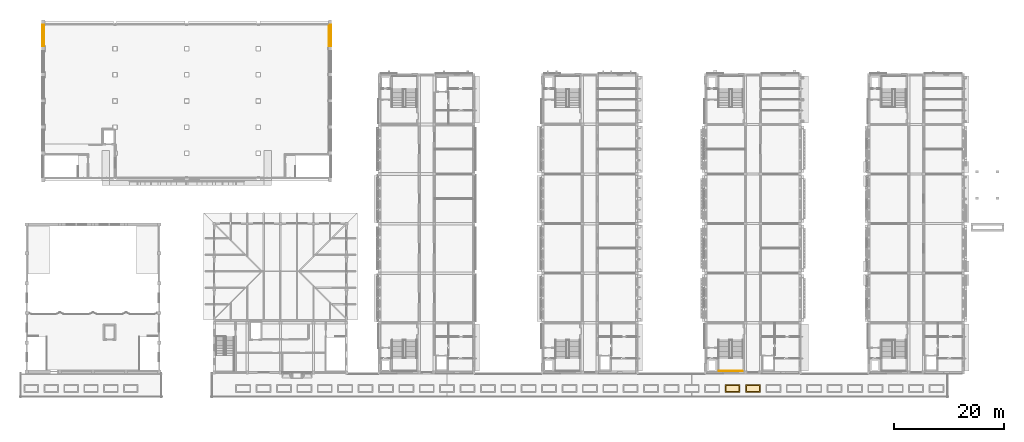
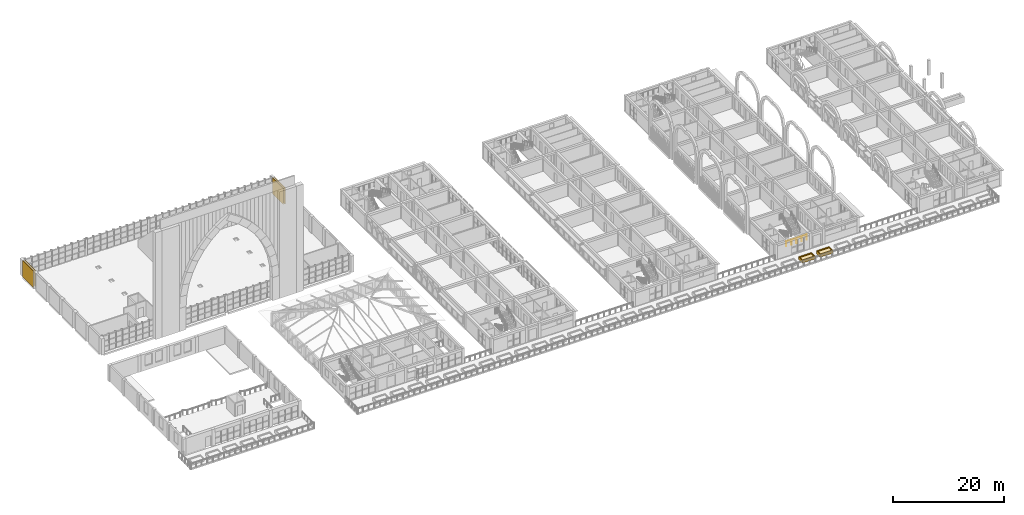
# One storey, part 78 of 82: 8 coverings, 1 railing.
"""IFC4 building model written with IfcOpenShell, lengths in metres."""

from ifc_helpers import new_model, si_unit, direction, frame, origin, origin_2d, place, context, subcontext, project, spatial, polyline, rectangle, circle, outline, extrude, material, layer, layer_set, type_object, element, save


model = new_model("IFC4")

# Units and contexts
model_context = context("Model", 3, precision=1e-05, world=origin(), true_north=direction((0.0, 1.0)))
body_context = subcontext(model_context, "Body", "Model", "MODEL_VIEW")
ifc_project = project(units=[si_unit("LENGTHUNIT", "METRE"), si_unit("AREAUNIT", "SQUARE_METRE"), si_unit("VOLUMEUNIT", "CUBIC_METRE"), si_unit("PLANEANGLEUNIT", "RADIAN"), si_unit("MASSUNIT", "GRAM", prefix="KILO")], contexts=[model_context])

# Site, building, storey
site_placement = place(None, origin())
site = spatial("IfcSite", under=ifc_project, at=site_placement, CompositionType="ELEMENT")
building_placement = place(site_placement, origin())
building = spatial("IfcBuilding", under=site, at=building_placement, Name="Elbe Cascade School", CompositionType="ELEMENT")
storey_placement = place(building_placement, frame((0.0, 0.0, 4.5)))
storey = spatial("IfcBuildingStorey", under=building, at=storey_placement, Name="L01", CompositionType="ELEMENT", Elevation=4.5)

# Railing
ifc_material_1 = material(Name="Steel S355J2H, painted", Category="steel")
railing_type = type_object("IfcRailingType", Name="Bar stair guard 1100", PredefinedType="GUARDRAIL", material=ifc_material_1)
railing_placement = place(storey_placement, frame((130.56005859375, 6.239990234375, 1.800048828125)))
element("IfcRailing", 1, at=railing_placement, inside=storey, type_object=railing_type, Name="Stair guard C1.S", PredefinedType="GUARDRAIL", context=body_context, shape_type="SweptSolid", body=[
    extrude(circle(Radius=0.02392578125, at=origin_2d()), frame((0.0, 0.0, 1.09619140625), z_axis=(1.0, 0.0, 0.0), x_axis=(0.0, 1.0, 0.0)), (0.0, 0.0, 1.0), 4.280029296875),
    extrude(circle(Radius=0.02099609375, at=origin_2d()), origin(), (0.0, 0.0, 1.0), 1.072021484375),
    extrude(circle(Radius=0.02099609375, at=origin_2d()), frame((1.070068359375, 0.0, 0.0)), (0.0, 0.0, 1.0), 1.072021484375),
    extrude(circle(Radius=0.02099609375, at=origin_2d()), frame((2.14013671875, 0.0, 0.0)), (0.0, 0.0, 1.0), 1.072021484375),
    extrude(circle(Radius=0.02099609375, at=origin_2d()), frame((3.2099609375, 0.0, 0.0)), (0.0, 0.0, 1.0), 1.072021484375),
    extrude(circle(Radius=0.02099609375, at=origin_2d()), frame((4.280029296875, 0.0, 0.0)), (0.0, 0.0, 1.0), 1.072021484375),
])

# Coverings
ifc_material_2 = material(Name="Brick masonry - red clinker", Category="masonry")
ifc_layer_1 = layer(ifc_material_2, 0.10009765625)
ifc_layer_set_1 = layer_set([ifc_layer_1], Name="Brick masonry - red clinker")
covering_type_1 = type_object("IfcCoveringType", Name="Hall brick cladding first storey 3600", PredefinedType="CLADDING", material=ifc_layer_set_1)
for number, where, z_axis, x_axis, name in (
    (2, (7.800048828125, 67.125, 0.0), (0.0, 0.0, 1.0), (1.0, 0.0, 0.0), "Brick cladding W6"),
    (3, (60.199951171875, 67.125, 0.0), (0.0, 0.0, 1.0), (1.0, 0.0, 0.0), "Brick cladding E6"),
):
    element("IfcCovering", number, at=place(storey_placement, frame(where, z_axis=z_axis, x_axis=x_axis)), inside=storey, type_object=covering_type_1, Name=name, PredefinedType="CLADDING", context=body_context, shape_type="SweptSolid", body=[
        extrude(rectangle(XDim=0.10009765625, YDim=3.85009765625, at=origin_2d()), origin(), (0.0, 0.0, 1.0), 3.60009765625),
    ])
ifc_material_3 = material(Name="Timber - impact-resistant panel", Category="wood")
ifc_layer_2 = layer(ifc_material_3, 0.0400390625)
ifc_layer_set_2 = layer_set([ifc_layer_2], Name="Timber - impact-resistant panel")
covering_type_2 = type_object("IfcCoveringType", Name="Hall impact lining lower course 3600", PredefinedType="CLADDING", material=ifc_layer_set_2)
for number, where, z_axis, x_axis, name in (
    (4, (8.169921875, 67.125, 0.0), (0.0, 0.0, 1.0), (1.0, 0.0, 0.0), "Impact lining W6"),
    (5, (59.830078125, 67.125, 0.0), (0.0, 0.0, 1.0), (1.0, 0.0, 0.0), "Impact lining E6"),
):
    element("IfcCovering", number, at=place(storey_placement, frame(where, z_axis=z_axis, x_axis=x_axis)), inside=storey, type_object=covering_type_2, Name=name, PredefinedType="CLADDING", context=body_context, shape_type="SweptSolid", body=[
        extrude(rectangle(XDim=0.0400390625, YDim=3.85009765625, at=origin_2d()), origin(), (0.0, 0.0, 1.0), 3.60009765625),
    ])
ifc_material_4 = material(Name="Planting - soil and shrubs", Category="soil")
ifc_layer_3 = layer(ifc_material_4, 0.39990234375)
ifc_layer_set_3 = layer_set([ifc_layer_3], Name="Planting - soil and shrubs")
covering_type_3 = type_object("IfcCoveringType", Name="Site planting bed 400", PredefinedType="USERDEFINED", material=ifc_layer_set_3)
covering_1_placement = place(storey_placement, frame((0.0, 0.0, 0.0400390625)))
element("IfcCovering", 6, at=covering_1_placement, inside=storey, type_object=covering_type_3, Name="Colonnade roof planting bed 31", ObjectType="PLANTING BED", PredefinedType="USERDEFINED", context=body_context, shape_type="SweptSolid", body=[
    extrude(outline(polyline([(131.85009765625, 2.550048828125), (134.25, 2.550048828125), (134.25, 3.64990234375), (131.85009765625, 3.64990234375), (131.85009765625, 2.550048828125)])), origin(), (0.0, 0.0, 1.0), 0.39990234375),
])
covering_2_placement = place(storey_placement, frame((0.0, 0.0, 0.0400390625)))
element("IfcCovering", 7, at=covering_2_placement, inside=storey, type_object=covering_type_3, Name="Colonnade roof planting bed 32", ObjectType="PLANTING BED", PredefinedType="USERDEFINED", context=body_context, shape_type="SweptSolid", body=[
    extrude(outline(polyline([(135.550048828125, 2.550048828125), (137.949951171875, 2.550048828125), (137.949951171875, 3.64990234375), (135.550048828125, 3.64990234375), (135.550048828125, 2.550048828125)])), origin(), (0.0, 0.0, 1.0), 0.39990234375),
])
ifc_material_5 = material(Name="Concrete C30/37 precast kerb", Category="concrete")
ifc_layer_4 = layer(ifc_material_5, 0.14990234375)
ifc_layer_set_4 = layer_set([ifc_layer_4], Name="Concrete C30/37 precast kerb")
covering_type_4 = type_object("IfcCoveringType", Name="Site planting bed kerb 150x600", PredefinedType="CLADDING", material=ifc_layer_set_4)
covering_3_placement = place(storey_placement, frame((0.0, 0.0, 0.0400390625)))
element("IfcCovering", 8, at=covering_3_placement, inside=storey, type_object=covering_type_4, Name="Colonnade roof planting bed kerb 31", PredefinedType="CLADDING", context=body_context, shape_type="SweptSolid", body=[
    extrude(outline(polyline([(131.699951171875, 2.39990234375), (134.39990234375, 2.39990234375), (134.39990234375, 3.800048828125), (131.699951171875, 3.800048828125), (131.699951171875, 2.39990234375)]), holes=[polyline([(131.85009765625, 2.550048828125), (134.25, 2.550048828125), (134.25, 3.64990234375), (131.85009765625, 3.64990234375), (131.85009765625, 2.550048828125)])]), origin(), (0.0, 0.0, 1.0), 0.599853515625),
])
covering_4_placement = place(storey_placement, frame((0.0, 0.0, 0.0400390625)))
element("IfcCovering", 9, at=covering_4_placement, inside=storey, type_object=covering_type_4, Name="Colonnade roof planting bed kerb 32", PredefinedType="CLADDING", context=body_context, shape_type="SweptSolid", body=[
    extrude(outline(polyline([(135.39990234375, 2.39990234375), (138.10009765625, 2.39990234375), (138.10009765625, 3.800048828125), (135.39990234375, 3.800048828125), (135.39990234375, 2.39990234375)]), holes=[polyline([(135.550048828125, 2.550048828125), (137.949951171875, 2.550048828125), (137.949951171875, 3.64990234375), (135.550048828125, 3.64990234375), (135.550048828125, 2.550048828125)])]), origin(), (0.0, 0.0, 1.0), 0.599853515625),
])

save(model, "model.ifc")
